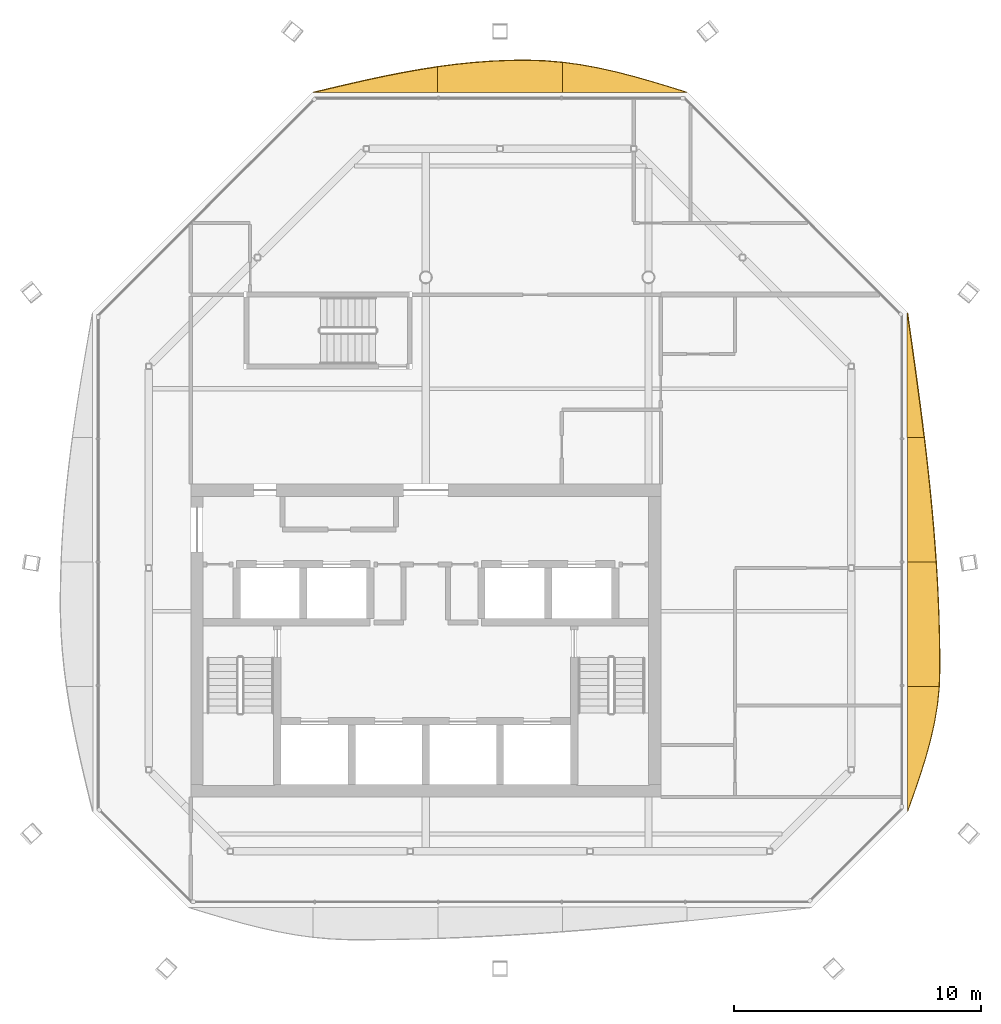
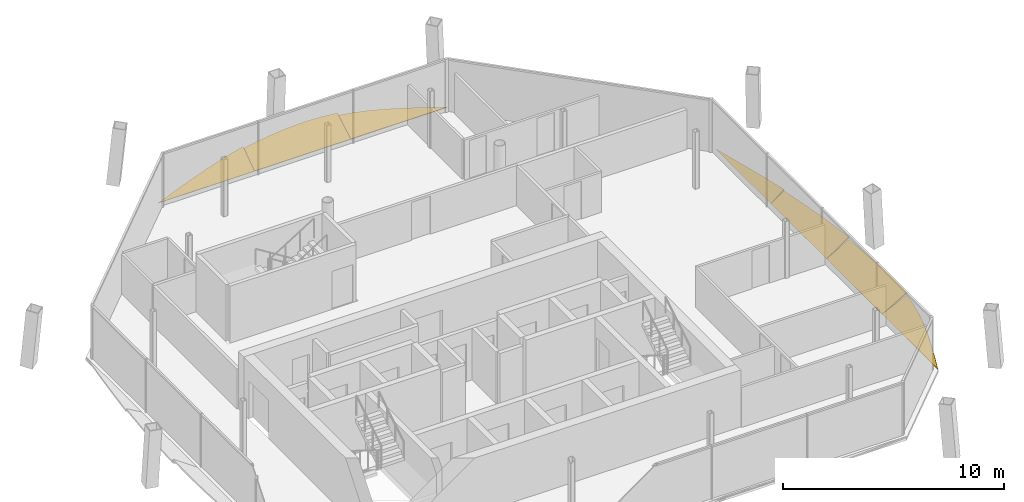
# One storey, part 14 of 14: 7 shading devices.
"""IFC4 building model written with IfcOpenShell, lengths in metres."""

from ifc_helpers import new_model, si_unit, direction, frame, origin, place, context, subcontext, project, spatial, polyline, outline, extrude, material, layer, layer_set, type_object, element, save


model = new_model("IFC4")

# Units and contexts
model_context = context("Model", 3, precision=1e-05, world=origin(), true_north=direction((0.0, 1.0)))
body_context = subcontext(model_context, "Body", "Model", "MODEL_VIEW")
ifc_project = project(units=[si_unit("LENGTHUNIT", "METRE"), si_unit("AREAUNIT", "SQUARE_METRE"), si_unit("VOLUMEUNIT", "CUBIC_METRE"), si_unit("PLANEANGLEUNIT", "RADIAN"), si_unit("MASSUNIT", "GRAM", prefix="KILO")], contexts=[model_context])

# Site, building, storey
site_placement = place(None, origin())
site = spatial("IfcSite", under=ifc_project, at=site_placement, CompositionType="ELEMENT")
building_placement = place(site_placement, origin())
building = spatial("IfcBuilding", under=site, at=building_placement, Name="Tskaro Facet Tower", CompositionType="ELEMENT")
storey_placement = place(building_placement, frame((0.0, 0.0, 275.25)))
storey = spatial("IfcBuildingStorey", under=building, at=storey_placement, Name="L73", CompositionType="ELEMENT", Elevation=275.25)

# Shading devices
ifc_material = material(Name="Bronze anodised aluminium 6063-T6", Category="aluminium")
ifc_layer = layer(ifc_material, 0.06005859375, Name="Bronze anodised aluminium 6063-T6")
ifc_layer_set = layer_set([ifc_layer], Name="Bronze anodised aluminium 6063-T6")
shading_device_type = type_object("IfcShadingDeviceType", Name="Bronze sun blade (FN1)", PredefinedType="USERDEFINED", material=ifc_layer_set)
shading_device_1_placement = place(storey_placement, frame((19.470703125, -12.5830078125, 0.054443359375), z_axis=(-0.422614914315, 9.22044e-06, 0.906309347913), x_axis=(3.896695e-06, 0.999999999957, -8.356571e-06)))
element("IfcShadingDevice", 1, at=shading_device_1_placement, inside=storey, type_object=shading_device_type, Name="Fin blade east 1", ObjectType="FIN", PredefinedType="USERDEFINED", context=body_context, shape_type="SweptSolid", body=[
    extrude(outline(polyline([(0.0, 0.0), (5.035888671660933, 2.1327818118914127e-21), (5.0358886719853055, -1.4136841194871919), (4.316650390850869, -1.3334049059174469), (3.5971679690985616, -1.2011352024930857), (2.877685545978424, -1.0223321225203463), (2.1582031258235523, -0.8037803808893789), (1.4389648431161546, -0.5538720024981787), (0.7194824212032153, -0.2823415258206672), (0.0, 0.0)])), origin(), (0.0, 0.0, -1.0), 0.06005859375),
])
shading_device_2_placement = place(storey_placement, frame((19.466064453125, -7.547119140625, 0.052001953125), z_axis=(-0.499994777523, 1.58487e-05, 0.866028418817), x_axis=(7.924267e-06, 0.999999999874, -1.3725425e-05)))
element("IfcShadingDevice", 2, at=shading_device_2_placement, inside=storey, type_object=shading_device_type, Name="Fin blade east 2", ObjectType="FIN", PredefinedType="USERDEFINED", context=body_context, shape_type="SweptSolid", body=[
    extrude(outline(polyline([(0.0, 0.0), (5.036132811867509, 4.265770418935964e-21), (5.03613281416275, -1.3401085872236704), (4.316650391078726, -1.38977178767403), (3.5971679669215093, -1.43101683290302), (2.877929687083301, -1.4633881521161833), (2.1584472650285926, -1.4867963816315521), (1.4389648427986523, -1.5009080196921656), (0.7194824223281151, -1.5059344990174879), (0.6850585942074384, -1.5059344990174879), (-3.618447614192014e-10, -1.4794680953630328), (0.0, 0.0)])), origin(), (0.0, 0.0, -1.0), 0.06005859375),
])
shading_device_3_placement = place(storey_placement, frame((19.461669921875, -2.510986328125, 0.049072265625), z_axis=(-0.573676694695, -2.2907099e-05, 0.819081833176), x_axis=(-1.3141269e-05, 0.999999999738, 1.8762789e-05)))
element("IfcShadingDevice", 3, at=shading_device_3_placement, inside=storey, type_object=shading_device_type, Name="Fin blade east 3", ObjectType="FIN", PredefinedType="USERDEFINED", context=body_context, shape_type="SweptSolid", body=[
    extrude(outline(polyline([(0.0, 0.0), (5.035888670553746, 8.531127247565651e-21), (5.035888672449968, -0.8301723968841488), (4.316650392599334, -0.9339364573241795), (3.597167965742857, -1.0321402280354812), (2.8776855485470585, -1.1237838532644024), (2.158203124061345, -1.208647130801191), (1.4389648425356052, -1.2861301471936564), (0.7194824199750842, -1.3555528445666831), (-2.9952817953926786e-09, -1.4169152229202708), (0.0, 0.0)])), origin(), (0.0, 0.0, -1.0), 0.06005859375),
])
shading_device_4_placement = place(storey_placement, frame((19.45751953125, 2.52490234375, 0.0458984375), z_axis=(-0.642905367614, 1.3237008e-05, 0.765945616945), x_axis=(8.510143e-06, 0.999999999912, -1.0138828e-05)))
element("IfcShadingDevice", 4, at=shading_device_4_placement, inside=storey, type_object=shading_device_type, Name="Fin blade east 4", ObjectType="FIN", PredefinedType="USERDEFINED", context=body_context, shape_type="SweptSolid", body=[
    extrude(outline(polyline([(0.0, 0.0), (5.0361328120587885, 0.0), (4.3166503898833595, -0.13325806932703024), (3.5971679664255167, -0.26564122469254237), (2.877929687658464, -0.3964915897000463), (2.1584472664968577, -0.5249042112646493), (1.4389648443609326, -0.6501911738664867), (0.7194824224435737, -0.7713206042257615), (-9.352631484772284e-10, -0.8877615461408881), (0.0, 0.0)])), origin(), (0.0, 0.0, -1.0), 0.06005859375),
])
shading_device_5_placement = place(storey_placement, frame((10.56103515625, 16.470703125, 0.054443359375), z_axis=(-2.1360357e-05, -0.422582536549, 0.906324444858), x_axis=(-0.999999999772, 9.026514e-06, -1.9359413e-05)))
element("IfcShadingDevice", 5, at=shading_device_5_placement, inside=storey, type_object=shading_device_type, Name="Fin blade north 1", ObjectType="FIN", PredefinedType="USERDEFINED", context=body_context, shape_type="SweptSolid", body=[
    extrude(outline(polyline([(0.0, 0.0), (5.040771483225036, -8.539399053691181e-21), (5.0407714859109305, -1.3446584942720246), (4.320556637740005, -1.2367394380495882), (3.600585935180134, -1.0923459964684898), (2.8803710947488352, -0.9152981451115983), (2.160400391983899, -0.7113774321355207), (1.4401855446497553, -0.4862622361322537), (0.7202148440293065, -0.2467372887761487), (0.0, 0.0)])), origin(), (0.0, 0.0, -1.0), 0.06005859375),
])
shading_device_6_placement = place(storey_placement, frame((5.520263671875, 16.466064453125, 0.052001953125), z_axis=(-8.847574e-06, -0.49999787734, 0.866026629254), x_axis=(-0.999999999961, 4.423768e-06, -7.662234e-06)))
element("IfcShadingDevice", 6, at=shading_device_6_placement, inside=storey, type_object=shading_device_type, Name="Fin blade north 2", ObjectType="FIN", PredefinedType="USERDEFINED", context=body_context, shape_type="SweptSolid", body=[
    extrude(outline(polyline([(0.0, 0.0), (5.040527343552715, 4.269492731692452e-21), (5.040527344562226, -1.2028394529073465), (4.320556641195922, -1.311673878092002), (3.600341795773371, -1.3977670778540827), (2.8803710934977587, -1.459451541809497), (2.160156250669681, -1.4957594710338036), (1.5222167971665075, -1.505934498885102), (1.4401855460896964, -1.5057230666025612), (0.7199707023629113, -1.4783782267165573), (2.1742690461246496e-10, -1.407275101551745), (0.0, 0.0)])), origin(), (0.0, 0.0, -1.0), 0.06005859375),
])
shading_device_7_placement = place(storey_placement, frame((0.479736328125, 16.461669921875, 0.049072265625), z_axis=(2.0108975e-05, -0.573662387893, 0.819091853404), x_axis=(-0.999999999798, -1.1535763e-05, 1.6471098e-05)))
element("IfcShadingDevice", 7, at=shading_device_7_placement, inside=storey, type_object=shading_device_type, Name="Fin blade north 3", ObjectType="FIN", PredefinedType="USERDEFINED", context=body_context, shape_type="SweptSolid", body=[
    extrude(outline(polyline([(0.0, 0.0), (5.0407714833558295, 8.539399053691181e-21), (4.320556639525429, -0.20982817924836883), (3.6005859407623966, -0.41593626738334044), (2.8803710937676694, -0.6149239854948116), (2.160400391071179, -0.8030113231662694), (1.440185544600045, -0.9772780836725683), (0.7202148412515004, -1.1343442037913214), (-1.82115426595649e-09, -1.271769568982341), (0.0, 0.0)])), origin(), (0.0, 0.0, -1.0), 0.06005859375),
])

save(model, "model.ifc")
